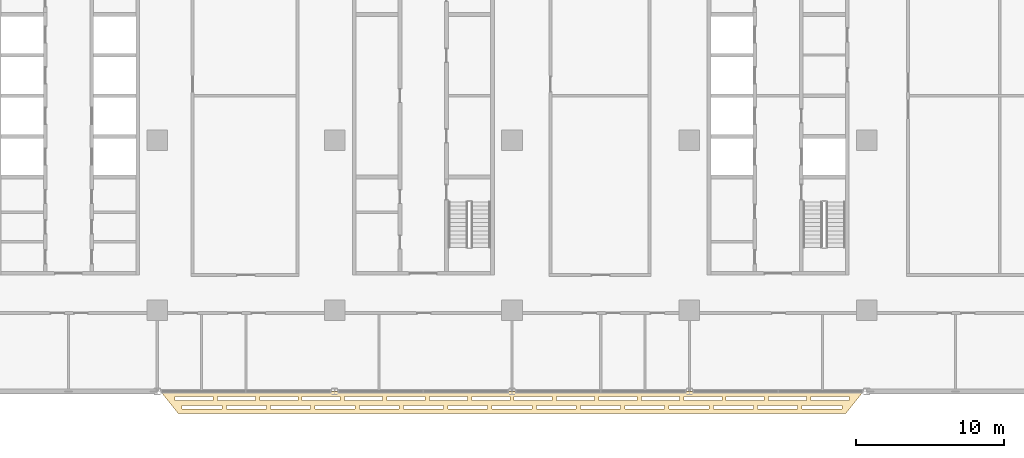
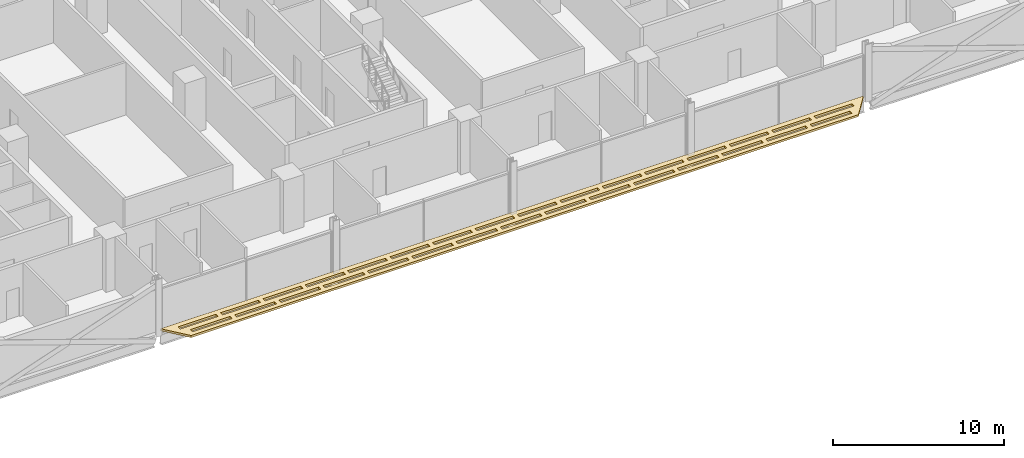
# One storey, part 25 of 29: 1 covering.
"""IFC4 building model written with IfcOpenShell, lengths in metres."""

import ifcopenshell
import ifcopenshell.guid

model = None  # the IFC model being written
_history = None  # IfcOwnerHistory: only IFC2X3 demands one
_inside = {}  # id of a spatial element -> (the spatial element, [elements in it])
_under = {}  # id of a project, library or spatial element -> (it, [spatial elements below it])
_declared = {}  # id of a project -> (the project, [libraries it declares])
_typed = {}  # id of a type object -> (the type object, [elements of that type])
_made_of = {}  # id of a material, layer set ... -> (it, [elements and type objects made of it])


def new_model(schema):
    """Start an empty IFC model of exactly this schema.

    Asked for "IFC4X3", IfcOpenShell would pick the latest addendum, in which some entities
    have other attributes; the version numbers below select the first issue.
    IFC2X3 requires an IfcOwnerHistory on every rooted entity: one is made here for all.
    """
    global model, _history
    if schema == "IFC4X3":
        model = ifcopenshell.file(schema_version=(4, 3, 0, 0))
    else:
        model = ifcopenshell.file(schema=schema)
    _inside.clear()
    _under.clear()
    _declared.clear()
    _typed.clear()
    _made_of.clear()
    _history = None
    if model.schema == "IFC2X3":
        org = make("IfcOrganization", Name="unknown")
        user = make(
            "IfcPersonAndOrganization",
            ThePerson=make("IfcPerson", FamilyName="unknown"),
            TheOrganization=org,
        )
        app = make(
            "IfcApplication",
            ApplicationDeveloper=org,
            Version="unknown",
            ApplicationFullName="unknown",
            ApplicationIdentifier="unknown",
        )
        _history = make(
            "IfcOwnerHistory",
            OwningUser=user,
            OwningApplication=app,
            ChangeAction="ADDED",
            CreationDate=0,
        )
    return model


def make(cls, **values):
    """One entity of the class cls with the attributes given. An attribute that is None is left unset."""
    return model.create_entity(
        cls, **{name: value for name, value in values.items() if value is not None}
    )


def rooted(cls, **values):
    """An entity with a GlobalId (a new one), such as an element, a storey or a relation."""
    return make(cls, GlobalId=ifcopenshell.guid.new(), OwnerHistory=_history, **values)


def si_unit(unit_type, name, prefix=None):
    """IfcSIUnit, for example si_unit("LENGTHUNIT", "METRE", prefix="MILLI")."""
    return make("IfcSIUnit", UnitType=unit_type, Prefix=prefix, Name=name)


def assignment(units):
    """IfcUnitAssignment: the units of a project."""
    return None if units is None else make("IfcUnitAssignment", Units=units)


def point(xyz):
    """IfcCartesianPoint."""
    return None if xyz is None else make("IfcCartesianPoint", Coordinates=xyz)


def direction(xyz):
    """IfcDirection."""
    return None if xyz is None else make("IfcDirection", DirectionRatios=xyz)


def frame(location, z_axis=None, x_axis=None):
    """IfcAxis2Placement3D, a coordinate frame: its origin and axes. An axis left out is left unset."""
    return make(
        "IfcAxis2Placement3D",
        Location=point(location),
        Axis=direction(z_axis),
        RefDirection=direction(x_axis),
    )


def origin():
    """The frame at (0, 0, 0) with its axes left unset."""
    return frame((0.0, 0.0, 0.0))


def place(relative_to, where):
    """IfcLocalPlacement: puts the frame where relative to a parent placement (None: the world)."""
    return make(
        "IfcLocalPlacement", PlacementRelTo=relative_to, RelativePlacement=where
    )


def context(
    kind, dimensions, precision=None, world=None, true_north=None, identifier=None
):
    """IfcGeometricRepresentationContext, for example the 3D "Model" context."""
    return make(
        "IfcGeometricRepresentationContext",
        ContextIdentifier=identifier,
        ContextType=kind,
        CoordinateSpaceDimension=dimensions,
        Precision=precision,
        WorldCoordinateSystem=world,
        TrueNorth=true_north,
    )


def subcontext(parent, identifier, kind, view, scale=None):
    """IfcGeometricRepresentationSubContext, for example "Body" below "Model"."""
    return make(
        "IfcGeometricRepresentationSubContext",
        ContextIdentifier=identifier,
        ContextType=kind,
        ParentContext=parent,
        TargetScale=scale,
        TargetView=view,
    )


def project(units=None, contexts=None):
    """IfcProject with its units and contexts."""
    return rooted(
        "IfcProject",
        Name="project",
        RepresentationContexts=contexts,
        UnitsInContext=assignment(units),
    )


def spatial(cls, under=None, at=None, **own):
    """A site, building, storey or space (cls), placed at a placement, below another one or the project."""
    s = rooted(cls, ObjectPlacement=at, **own)
    if under is not None:
        _under.setdefault(under.id(), (under, []))[1].append(s)
    return s


def polyline(points):
    """IfcPolyline through the points."""
    return make("IfcPolyline", Points=[point(p) for p in points])


def outline(outer, holes=None, kind="AREA"):
    """IfcArbitraryClosedProfileDef: a profile drawn as a closed curve; with holes, ...WithVoids."""
    if holes is None:
        return make("IfcArbitraryClosedProfileDef", ProfileType=kind, OuterCurve=outer)
    return make(
        "IfcArbitraryProfileDefWithVoids",
        ProfileType=kind,
        OuterCurve=outer,
        InnerCurves=holes,
    )


def extrude(swept, where, along, depth):
    """IfcExtrudedAreaSolid: the profile swept, set in the frame where, extruded along a direction by depth."""
    return make(
        "IfcExtrudedAreaSolid",
        SweptArea=swept,
        Position=where,
        ExtrudedDirection=direction(along),
        Depth=depth,
    )


def shape(context_of_items, identifier, shape_type, items):
    """IfcShapeRepresentation: the items that make up one representation, for example the "Body"."""
    return make(
        "IfcShapeRepresentation",
        ContextOfItems=context_of_items,
        RepresentationIdentifier=identifier,
        RepresentationType=shape_type,
        Items=items,
    )


def material(Name=None, Category=None):
    """IfcMaterial."""
    return make("IfcMaterial", Name=Name, Category=Category)


def layer(
    of_material, thickness, ventilated=None, Name=None, Category=None, Priority=None
):
    """IfcMaterialLayer: one layer of a wall or slab, of a material (None: an air gap)."""
    return make(
        "IfcMaterialLayer",
        Material=of_material,
        LayerThickness=thickness,
        IsVentilated=ventilated,
        Name=Name,
        Category=Category,
        Priority=Priority,
    )


def layer_set(layers, Name=None):
    """IfcMaterialLayerSet."""
    return make("IfcMaterialLayerSet", MaterialLayers=layers, LayerSetName=Name)


def made_of(thing, what):
    """Note that an element or type object is made of a material, layer set ...; save() writes the relation."""
    if what is not None:
        _made_of.setdefault(what.id(), (what, []))[1].append(thing)
    return thing


def type_object(cls, material=None, **own):
    """A type object (cls), such as IfcWallType, which elements share."""
    return made_of(rooted(cls, **own), material)


def element(
    cls,
    number,
    at=None,
    inside=None,
    cuts=None,
    type_object=None,
    material=None,
    context=None,
    identifier="Body",
    shape_type=None,
    held_by="IfcProductDefinitionShape",
    body=None,
    shapes=None,
    **own,
):
    """One element of the class cls, such as IfcWall. Its Tag is "e" and its number.

    at: its placement. inside: the storey or other place that contains it. cuts: it is an
    opening in that element (IfcRelVoidsElement). A single representation is given by context,
    identifier, shape_type and body (its items); several are given by shapes. held_by: the class
    of the entity that holds the representations. save() writes the other relations.
    """
    e = rooted(cls, Tag="e%d" % number, ObjectPlacement=at, **own)
    if body is not None:
        shapes = [shape(context, identifier, shape_type, body)]
    if shapes is not None:
        e.Representation = make(held_by, Representations=shapes)
    if inside is not None:
        _inside.setdefault(inside.id(), (inside, []))[1].append(e)
    if cuts is not None:
        rooted(
            "IfcRelVoidsElement", RelatingBuildingElement=cuts, RelatedOpeningElement=e
        )
    if type_object is not None:
        _typed.setdefault(type_object.id(), (type_object, []))[1].append(e)
    return made_of(e, material)


def aggregate(whole, parts):
    """IfcRelAggregates: a whole, such as a stair, and the parts it consists of."""
    return rooted("IfcRelAggregates", RelatingObject=whole, RelatedObjects=parts)


def save(model, path):
    """Write the relations noted so far, then the file.

    IfcRelAggregates (storeys below a building ...), IfcRelContainedInSpatialStructure (elements
    in a storey), IfcRelDefinesByType, IfcRelAssociatesMaterial and IfcRelDeclares: one each for
    every whole, place, type object, material and project.
    """
    for whole, parts in _under.values():
        aggregate(whole, parts)
    for where, things in _inside.values():
        rooted(
            "IfcRelContainedInSpatialStructure",
            RelatedElements=things,
            RelatingStructure=where,
        )
    for kind, things in _typed.values():
        rooted("IfcRelDefinesByType", RelatedObjects=things, RelatingType=kind)
    for what, things in _made_of.values():
        rooted("IfcRelAssociatesMaterial", RelatedObjects=things, RelatingMaterial=what)
    for by, libraries in _declared.values():
        rooted("IfcRelDeclares", RelatingContext=by, RelatedDefinitions=libraries)
    model.write(path)


model = new_model("IFC4")

# Units and contexts
model_context = context("Model", 3, precision=1e-05, world=origin(), true_north=direction((0.0, 1.0)))
body_context = subcontext(model_context, "Body", "Model", "MODEL_VIEW")
ifc_project = project(units=[si_unit("LENGTHUNIT", "METRE"), si_unit("AREAUNIT", "SQUARE_METRE"), si_unit("VOLUMEUNIT", "CUBIC_METRE"), si_unit("PLANEANGLEUNIT", "RADIAN"), si_unit("MASSUNIT", "GRAM", prefix="KILO")], contexts=[model_context])

# Site, building, storey
site_placement = place(None, origin())
site = spatial("IfcSite", under=ifc_project, at=site_placement, CompositionType="ELEMENT")
building_placement = place(site_placement, origin())
building = spatial("IfcBuilding", under=site, at=building_placement, Name="Mahtab Terrace Research Tower", CompositionType="ELEMENT")
storey_placement = place(building_placement, frame((0.0, 0.0, 109.39990234375)))
storey = spatial("IfcBuildingStorey", under=building, at=storey_placement, Name="L25", CompositionType="ELEMENT", Elevation=109.39990234375)

# Covering
ifc_material = material(Name="Black anodised aluminium", Category="aluminium")
ifc_layer = layer(ifc_material, 0.14990234375)
ifc_layer_set = layer_set([ifc_layer], Name="Horizontal sunshade band")
covering_type = type_object("IfcCoveringType", Name="Horizontal sunshade band", PredefinedType="CLADDING", material=ifc_layer_set)
covering_placement = place(storey_placement, frame((0.0, 0.0, -0.14990234375)))
element("IfcCovering", 1, at=covering_placement, inside=storey, type_object=covering_type, Name="Sunshade band L25 25", PredefinedType="CLADDING", context=body_context, shape_type="SweptSolid", body=[
    extrude(outline(polyline([(-17.77197265625, -17.0), (29.77197265625, -17.0), (28.572021484375, -18.5), (-16.572021484375, -18.5), (-17.77197265625, -17.0)]), holes=[polyline([(-16.7919921875, -17.35009765625), (-14.22412109375, -17.35009765625), (-14.22412109375, -17.60009765625), (-16.7919921875, -17.60009765625), (-16.7919921875, -17.35009765625)]), polyline([(-13.924072265625, -17.35009765625), (-11.35693359375, -17.35009765625), (-11.35693359375, -17.60009765625), (-13.924072265625, -17.60009765625), (-13.924072265625, -17.35009765625)]), polyline([(-11.055908203125, -17.35009765625), (-8.489013671875, -17.35009765625), (-8.489013671875, -17.60009765625), (-11.055908203125, -17.60009765625), (-11.055908203125, -17.35009765625)]), polyline([(-8.18896484375, -17.35009765625), (-5.62109375, -17.35009765625), (-5.62109375, -17.60009765625), (-8.18896484375, -17.60009765625), (-8.18896484375, -17.35009765625)]), polyline([(-5.321044921875, -17.35009765625), (-2.7529296875, -17.35009765625), (-2.7529296875, -17.60009765625), (-5.321044921875, -17.60009765625), (-5.321044921875, -17.35009765625)]), polyline([(-2.452880859375, -17.35009765625), (0.114013671875, -17.35009765625), (0.114013671875, -17.60009765625), (-2.452880859375, -17.60009765625), (-2.452880859375, -17.35009765625)]), polyline([(0.4140625, -17.35009765625), (2.98193359375, -17.35009765625), (2.98193359375, -17.60009765625), (0.4140625, -17.60009765625), (0.4140625, -17.35009765625)]), polyline([(3.281982421875, -17.35009765625), (5.85009765625, -17.35009765625), (5.85009765625, -17.60009765625), (3.281982421875, -17.60009765625), (3.281982421875, -17.35009765625)]), polyline([(6.14990234375, -17.35009765625), (8.718017578125, -17.35009765625), (8.718017578125, -17.60009765625), (6.14990234375, -17.60009765625), (6.14990234375, -17.35009765625)]), polyline([(9.01806640625, -17.35009765625), (11.5849609375, -17.35009765625), (11.5849609375, -17.60009765625), (9.01806640625, -17.60009765625), (9.01806640625, -17.35009765625)]), polyline([(11.885009765625, -17.35009765625), (14.452880859375, -17.35009765625), (14.452880859375, -17.60009765625), (11.885009765625, -17.60009765625), (11.885009765625, -17.35009765625)]), polyline([(14.7529296875, -17.35009765625), (17.321044921875, -17.35009765625), (17.321044921875, -17.60009765625), (14.7529296875, -17.60009765625), (14.7529296875, -17.35009765625)]), polyline([(17.62109375, -17.35009765625), (20.18896484375, -17.35009765625), (20.18896484375, -17.60009765625), (17.62109375, -17.60009765625), (17.62109375, -17.35009765625)]), polyline([(20.489013671875, -17.35009765625), (23.055908203125, -17.35009765625), (23.055908203125, -17.60009765625), (20.489013671875, -17.60009765625), (20.489013671875, -17.35009765625)]), polyline([(23.35595703125, -17.35009765625), (25.924072265625, -17.35009765625), (25.924072265625, -17.60009765625), (23.35595703125, -17.60009765625), (23.35595703125, -17.35009765625)]), polyline([(26.22412109375, -17.35009765625), (28.7919921875, -17.35009765625), (28.7919921875, -17.60009765625), (26.22412109375, -17.60009765625), (26.22412109375, -17.35009765625)]), polyline([(-16.31201171875, -17.949951171875), (-13.616943359375, -17.949951171875), (-13.616943359375, -18.199951171875), (-16.31201171875, -18.199951171875), (-16.31201171875, -17.949951171875)]), polyline([(-13.31689453125, -17.949951171875), (-10.6220703125, -17.949951171875), (-10.6220703125, -18.199951171875), (-13.31689453125, -18.199951171875), (-13.31689453125, -17.949951171875)]), polyline([(-10.322021484375, -17.949951171875), (-7.626953125, -17.949951171875), (-7.626953125, -18.199951171875), (-10.322021484375, -18.199951171875), (-10.322021484375, -17.949951171875)]), polyline([(-7.326904296875, -17.949951171875), (-4.632080078125, -17.949951171875), (-4.632080078125, -18.199951171875), (-7.326904296875, -18.199951171875), (-7.326904296875, -17.949951171875)]), polyline([(-4.33203125, -17.949951171875), (-1.636962890625, -17.949951171875), (-1.636962890625, -18.199951171875), (-4.33203125, -18.199951171875), (-4.33203125, -17.949951171875)]), polyline([(-1.3369140625, -17.949951171875), (1.35791015625, -17.949951171875), (1.35791015625, -18.199951171875), (-1.3369140625, -18.199951171875), (-1.3369140625, -17.949951171875)]), polyline([(1.657958984375, -17.949951171875), (4.35302734375, -17.949951171875), (4.35302734375, -18.199951171875), (1.657958984375, -18.199951171875), (1.657958984375, -17.949951171875)]), polyline([(4.653076171875, -17.949951171875), (7.346923828125, -17.949951171875), (7.346923828125, -18.199951171875), (4.653076171875, -18.199951171875), (4.653076171875, -17.949951171875)]), polyline([(7.64697265625, -17.949951171875), (10.342041015625, -17.949951171875), (10.342041015625, -18.199951171875), (7.64697265625, -18.199951171875), (7.64697265625, -17.949951171875)]), polyline([(10.64208984375, -17.949951171875), (13.3369140625, -17.949951171875), (13.3369140625, -18.199951171875), (10.64208984375, -18.199951171875), (10.64208984375, -17.949951171875)]), polyline([(13.636962890625, -17.949951171875), (16.33203125, -17.949951171875), (16.33203125, -18.199951171875), (13.636962890625, -18.199951171875), (13.636962890625, -17.949951171875)]), polyline([(16.632080078125, -17.949951171875), (19.326904296875, -17.949951171875), (19.326904296875, -18.199951171875), (16.632080078125, -18.199951171875), (16.632080078125, -17.949951171875)]), polyline([(19.626953125, -17.949951171875), (22.322021484375, -17.949951171875), (22.322021484375, -18.199951171875), (19.626953125, -18.199951171875), (19.626953125, -17.949951171875)]), polyline([(22.6220703125, -17.949951171875), (25.31689453125, -17.949951171875), (25.31689453125, -18.199951171875), (22.6220703125, -18.199951171875), (22.6220703125, -17.949951171875)]), polyline([(25.616943359375, -17.949951171875), (28.31201171875, -17.949951171875), (28.31201171875, -18.199951171875), (25.616943359375, -18.199951171875), (25.616943359375, -17.949951171875)])]), origin(), (0.0, 0.0, 1.0), 0.14990234375),
])

save(model, "model.ifc")
